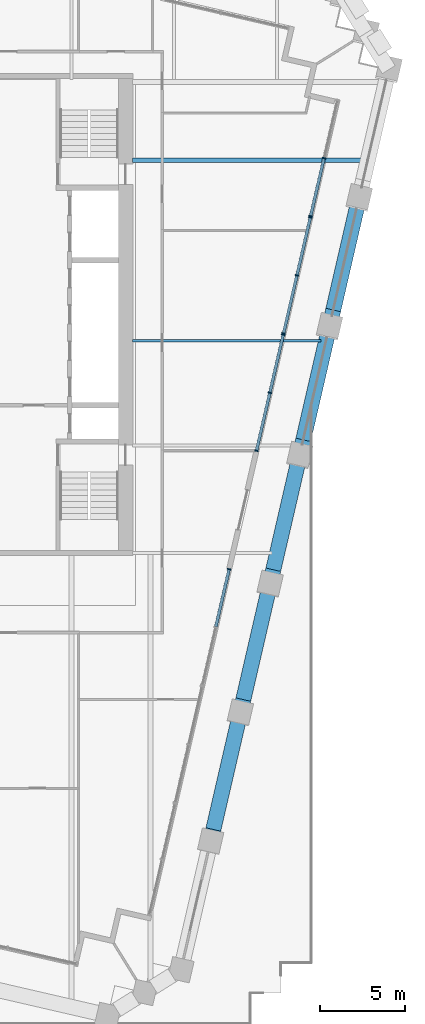
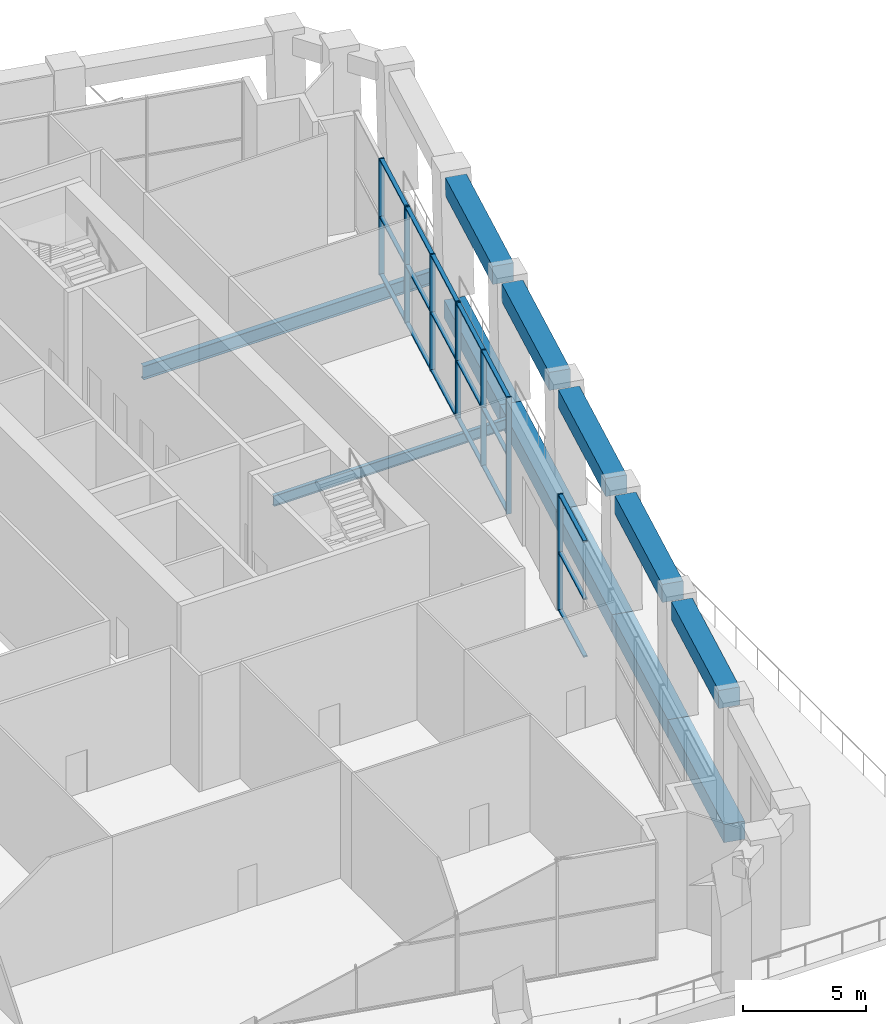
# One storey, part 9 of 23: 27 members, 12 beams, 4 elements without a shape of their own.
"""IFC4 building model written with IfcOpenShell, lengths in metres."""

import ifcopenshell
import ifcopenshell.guid

model = None  # the IFC model being written
_history = None  # IfcOwnerHistory: only IFC2X3 demands one
_inside = {}  # id of a spatial element -> (the spatial element, [elements in it])
_under = {}  # id of a project, library or spatial element -> (it, [spatial elements below it])
_declared = {}  # id of a project -> (the project, [libraries it declares])
_typed = {}  # id of a type object -> (the type object, [elements of that type])
_made_of = {}  # id of a material, layer set ... -> (it, [elements and type objects made of it])


def new_model(schema):
    """Start an empty IFC model of exactly this schema.

    Asked for "IFC4X3", IfcOpenShell would pick the latest addendum, in which some entities
    have other attributes; the version numbers below select the first issue.
    IFC2X3 requires an IfcOwnerHistory on every rooted entity: one is made here for all.
    """
    global model, _history
    if schema == "IFC4X3":
        model = ifcopenshell.file(schema_version=(4, 3, 0, 0))
    else:
        model = ifcopenshell.file(schema=schema)
    _inside.clear()
    _under.clear()
    _declared.clear()
    _typed.clear()
    _made_of.clear()
    _history = None
    if model.schema == "IFC2X3":
        org = make("IfcOrganization", Name="unknown")
        user = make(
            "IfcPersonAndOrganization",
            ThePerson=make("IfcPerson", FamilyName="unknown"),
            TheOrganization=org,
        )
        app = make(
            "IfcApplication",
            ApplicationDeveloper=org,
            Version="unknown",
            ApplicationFullName="unknown",
            ApplicationIdentifier="unknown",
        )
        _history = make(
            "IfcOwnerHistory",
            OwningUser=user,
            OwningApplication=app,
            ChangeAction="ADDED",
            CreationDate=0,
        )
    return model


def make(cls, **values):
    """One entity of the class cls with the attributes given. An attribute that is None is left unset."""
    return model.create_entity(
        cls, **{name: value for name, value in values.items() if value is not None}
    )


def rooted(cls, **values):
    """An entity with a GlobalId (a new one), such as an element, a storey or a relation."""
    return make(cls, GlobalId=ifcopenshell.guid.new(), OwnerHistory=_history, **values)


def si_unit(unit_type, name, prefix=None):
    """IfcSIUnit, for example si_unit("LENGTHUNIT", "METRE", prefix="MILLI")."""
    return make("IfcSIUnit", UnitType=unit_type, Prefix=prefix, Name=name)


def assignment(units):
    """IfcUnitAssignment: the units of a project."""
    return None if units is None else make("IfcUnitAssignment", Units=units)


def point(xyz):
    """IfcCartesianPoint."""
    return None if xyz is None else make("IfcCartesianPoint", Coordinates=xyz)


def direction(xyz):
    """IfcDirection."""
    return None if xyz is None else make("IfcDirection", DirectionRatios=xyz)


def frame(location, z_axis=None, x_axis=None):
    """IfcAxis2Placement3D, a coordinate frame: its origin and axes. An axis left out is left unset."""
    return make(
        "IfcAxis2Placement3D",
        Location=point(location),
        Axis=direction(z_axis),
        RefDirection=direction(x_axis),
    )


def frame_2d(location, x_axis=None):
    """IfcAxis2Placement2D, a coordinate frame in the plane: its origin and x axis."""
    return make(
        "IfcAxis2Placement2D", Location=point(location), RefDirection=direction(x_axis)
    )


def origin():
    """The frame at (0, 0, 0) with its axes left unset."""
    return frame((0.0, 0.0, 0.0))


def origin_2d():
    """The frame at (0, 0) in the plane with its x axis left unset."""
    return frame_2d((0.0, 0.0))


def place(relative_to, where):
    """IfcLocalPlacement: puts the frame where relative to a parent placement (None: the world)."""
    return make(
        "IfcLocalPlacement", PlacementRelTo=relative_to, RelativePlacement=where
    )


def context(
    kind, dimensions, precision=None, world=None, true_north=None, identifier=None
):
    """IfcGeometricRepresentationContext, for example the 3D "Model" context."""
    return make(
        "IfcGeometricRepresentationContext",
        ContextIdentifier=identifier,
        ContextType=kind,
        CoordinateSpaceDimension=dimensions,
        Precision=precision,
        WorldCoordinateSystem=world,
        TrueNorth=true_north,
    )


def subcontext(parent, identifier, kind, view, scale=None):
    """IfcGeometricRepresentationSubContext, for example "Body" below "Model"."""
    return make(
        "IfcGeometricRepresentationSubContext",
        ContextIdentifier=identifier,
        ContextType=kind,
        ParentContext=parent,
        TargetScale=scale,
        TargetView=view,
    )


def project(units=None, contexts=None):
    """IfcProject with its units and contexts."""
    return rooted(
        "IfcProject",
        Name="project",
        RepresentationContexts=contexts,
        UnitsInContext=assignment(units),
    )


def spatial(cls, under=None, at=None, **own):
    """A site, building, storey or space (cls), placed at a placement, below another one or the project."""
    s = rooted(cls, ObjectPlacement=at, **own)
    if under is not None:
        _under.setdefault(under.id(), (under, []))[1].append(s)
    return s


def profile(cls, at=None, kind="AREA", **sizes):
    """A parametric profile (cls). Its sizes go by their IFC names, for example OverallWidth=200.0."""
    return make(cls, ProfileType=kind, Position=at, **sizes)


def rectangle(**sizes):
    """IfcRectangleProfileDef."""
    return profile("IfcRectangleProfileDef", **sizes)


def i_section(**sizes):
    """IfcIShapeProfileDef."""
    return profile("IfcIShapeProfileDef", **sizes)


def extrude(swept, where, along, depth):
    """IfcExtrudedAreaSolid: the profile swept, set in the frame where, extruded along a direction by depth."""
    return make(
        "IfcExtrudedAreaSolid",
        SweptArea=swept,
        Position=where,
        ExtrudedDirection=direction(along),
        Depth=depth,
    )


def shape(context_of_items, identifier, shape_type, items):
    """IfcShapeRepresentation: the items that make up one representation, for example the "Body"."""
    return make(
        "IfcShapeRepresentation",
        ContextOfItems=context_of_items,
        RepresentationIdentifier=identifier,
        RepresentationType=shape_type,
        Items=items,
    )


def material(Name=None, Category=None):
    """IfcMaterial."""
    return make("IfcMaterial", Name=Name, Category=Category)


def material_profile(
    of_material, cross_section, Name=None, Category=None, Priority=None
):
    """IfcMaterialProfile: a cross section and its material."""
    return make(
        "IfcMaterialProfile",
        Name=Name,
        Material=of_material,
        Profile=cross_section,
        Priority=Priority,
        Category=Category,
    )


def profile_set(profiles, Name=None, composite=None):
    """IfcMaterialProfileSet."""
    return make(
        "IfcMaterialProfileSet",
        Name=Name,
        MaterialProfiles=profiles,
        CompositeProfile=composite,
    )


def made_of(thing, what):
    """Note that an element or type object is made of a material, layer set ...; save() writes the relation."""
    if what is not None:
        _made_of.setdefault(what.id(), (what, []))[1].append(thing)
    return thing


def type_object(cls, material=None, **own):
    """A type object (cls), such as IfcWallType, which elements share."""
    return made_of(rooted(cls, **own), material)


def element(
    cls,
    number,
    at=None,
    inside=None,
    cuts=None,
    type_object=None,
    material=None,
    context=None,
    identifier="Body",
    shape_type=None,
    held_by="IfcProductDefinitionShape",
    body=None,
    shapes=None,
    **own,
):
    """One element of the class cls, such as IfcWall. Its Tag is "e" and its number.

    at: its placement. inside: the storey or other place that contains it. cuts: it is an
    opening in that element (IfcRelVoidsElement). A single representation is given by context,
    identifier, shape_type and body (its items); several are given by shapes. held_by: the class
    of the entity that holds the representations. save() writes the other relations.
    """
    e = rooted(cls, Tag="e%d" % number, ObjectPlacement=at, **own)
    if body is not None:
        shapes = [shape(context, identifier, shape_type, body)]
    if shapes is not None:
        e.Representation = make(held_by, Representations=shapes)
    if inside is not None:
        _inside.setdefault(inside.id(), (inside, []))[1].append(e)
    if cuts is not None:
        rooted(
            "IfcRelVoidsElement", RelatingBuildingElement=cuts, RelatedOpeningElement=e
        )
    if type_object is not None:
        _typed.setdefault(type_object.id(), (type_object, []))[1].append(e)
    return made_of(e, material)


def aggregate(whole, parts):
    """IfcRelAggregates: a whole, such as a stair, and the parts it consists of."""
    return rooted("IfcRelAggregates", RelatingObject=whole, RelatedObjects=parts)


def save(model, path):
    """Write the relations noted so far, then the file.

    IfcRelAggregates (storeys below a building ...), IfcRelContainedInSpatialStructure (elements
    in a storey), IfcRelDefinesByType, IfcRelAssociatesMaterial and IfcRelDeclares: one each for
    every whole, place, type object, material and project.
    """
    for whole, parts in _under.values():
        aggregate(whole, parts)
    for where, things in _inside.values():
        rooted(
            "IfcRelContainedInSpatialStructure",
            RelatedElements=things,
            RelatingStructure=where,
        )
    for kind, things in _typed.values():
        rooted("IfcRelDefinesByType", RelatedObjects=things, RelatingType=kind)
    for what, things in _made_of.values():
        rooted("IfcRelAssociatesMaterial", RelatedObjects=things, RelatingMaterial=what)
    for by, libraries in _declared.values():
        rooted("IfcRelDeclares", RelatingContext=by, RelatedDefinitions=libraries)
    model.write(path)


model = new_model("IFC4")

# Units and contexts
model_context = context("Model", 3, precision=1e-05, world=origin(), true_north=direction((0.0, 1.0)))
body_context = subcontext(model_context, "Body", "Model", "MODEL_VIEW")
ifc_project = project(units=[si_unit("LENGTHUNIT", "METRE"), si_unit("AREAUNIT", "SQUARE_METRE"), si_unit("VOLUMEUNIT", "CUBIC_METRE"), si_unit("PLANEANGLEUNIT", "RADIAN"), si_unit("MASSUNIT", "GRAM", prefix="KILO")], contexts=[model_context])

# Site, building, storey
site_placement = place(None, origin())
site = spatial("IfcSite", under=ifc_project, at=site_placement, CompositionType="ELEMENT")
building_placement = place(site_placement, origin())
building = spatial("IfcBuilding", under=site, at=building_placement, Name="Ogive Exchange Tower", CompositionType="ELEMENT")
storey_placement = place(building_placement, frame((0.0, 0.0, 99.60009765625)))
storey = spatial("IfcBuildingStorey", under=building, at=storey_placement, Name="L21", CompositionType="ELEMENT", Elevation=99.60009765625)

# Beams
ifc_material_1 = material(Name="Steel ASTM A992 Gr50", Category="steel")
ifc_material_profile_1 = material_profile(ifc_material_1, i_section(OverallWidth=0.1669921875, OverallDepth=0.535888671875, WebThickness=0.01025390625, FlangeThickness=0.0166015625, at=origin_2d()), Name="W530x85")
ifc_profile_set_1 = profile_set([ifc_material_profile_1], Name="Steel ASTM A992 Gr50")
beam_type_1 = type_object("IfcBeamType", Name="Floor beam W530x85", PredefinedType="JOIST", material=ifc_profile_set_1)
beam_1_placement = place(storey_placement, frame((21.830078125, 9.956787109375, -0.718017578125), z_axis=(1.0, 0.0, 0.0), x_axis=(0.0, 1.0, 0.0)))
element("IfcBeam", 1, at=beam_1_placement, inside=storey, type_object=beam_type_1, Name="Floor beam", PredefinedType="JOIST", context=body_context, shape_type="SweptSolid", body=[
    extrude(i_section(OverallWidth=0.1669921875, OverallDepth=0.535888671875, WebThickness=0.01025390625, FlangeThickness=0.0166015625, at=origin_2d()), origin(), (0.0, 0.0, 1.0), 11.138671875),
])
ifc_material_profile_2 = material_profile(ifc_material_1, i_section(OverallWidth=0.25390625, OverallDepth=0.677978515625, WebThickness=0.01171875, FlangeThickness=0.016357421875, at=origin_2d()), Name="W690x125")
ifc_profile_set_2 = profile_set([ifc_material_profile_2], Name="Steel ASTM A992 Gr50")
beam_type_2 = type_object("IfcBeamType", Name="Floor beam W690x125", PredefinedType="JOIST", material=ifc_profile_set_2)
beam_2_placement = place(storey_placement, frame((21.830078125, 20.62255859375, -0.7890625), z_axis=(1.0, 0.0, 0.0), x_axis=(0.0, 1.0, 0.0)))
element("IfcBeam", 2, at=beam_2_placement, inside=storey, type_object=beam_type_2, Name="Floor beam", PredefinedType="JOIST", context=body_context, shape_type="SweptSolid", body=[
    extrude(i_section(OverallWidth=0.25390625, OverallDepth=0.677978515625, WebThickness=0.01171875, FlangeThickness=0.016357421875, at=origin_2d()), origin(), (0.0, 0.0, 1.0), 13.60107421875),
])
ifc_material_2 = material(Name="Precast concrete C70/85 (limestone faced)", Category="masonry")
ifc_material_profile_3 = material_profile(ifc_material_2, rectangle(XDim=0.89990234375, YDim=0.89990234375, at=origin_2d()), Name="900 x 900")
ifc_profile_set_3 = profile_set([ifc_material_profile_3], Name="Precast concrete C70/85 (limestone faced)")
beam_type_3 = type_object("IfcBeamType", Name="Precast spandrel 900 x 900 C70/85", PredefinedType="SPANDREL", material=ifc_profile_set_3)
beam_3_placement = place(storey_placement, frame((26.611572265625, -18.93017578125, 5.2998046875), z_axis=(0.224918779098, 0.97437751555, 0.0), x_axis=(-0.97437751555, 0.224918779098, 0.0)))
element("IfcBeam", 3, at=beam_3_placement, inside=storey, type_object=beam_type_3, Name="Spandrel 10", PredefinedType="SPANDREL", context=body_context, shape_type="SweptSolid", body=[
    extrude(rectangle(XDim=0.89990234375, YDim=0.89990234375, at=origin_2d()), origin(), (0.0, 0.0, 1.0), 6.6181640625),
])
for number, where, z_axis, x_axis, name in (
    (4, (28.3837890625, -11.254150390625, 5.2998046875), (0.224926864054, 0.974375649237, 0.0), (-0.974375649237, 0.224926864054, 0.0), "Spandrel 11"),
    (5, (30.15576171875, -3.578125, 5.2998046875), (0.224961888605, 0.974367563436, 0.0), (-0.974367563436, 0.224961888605, 0.0), "Spandrel 12"),
    (6, (31.927978515625, 4.097900390625, 5.2998046875), (0.224961888605, 0.974367563436, 0.0), (-0.974367563436, 0.224961888605, 0.0), "Spandrel 13"),
    (7, (33.7001953125, 11.77392578125, 5.2998046875), (0.224926864054, 0.974375649237, 0.0), (-0.974375649237, 0.224926864054, 0.0), "Spandrel 14"),
):
    element("IfcBeam", number, at=place(storey_placement, frame(where, z_axis=z_axis, x_axis=x_axis)), inside=storey, type_object=beam_type_3, Name=name, PredefinedType="SPANDREL", context=body_context, shape_type="SweptSolid", body=[
        extrude(rectangle(XDim=0.89990234375, YDim=0.89990234375, at=origin_2d()), origin(), (0.0, 0.0, 1.0), 6.617919921875),
    ])
ifc_material_profile_4 = material_profile(ifc_material_2, rectangle(XDim=0.89990234375, YDim=0.89990234375, at=origin_2d()), Name="900 x 900")
ifc_profile_set_4 = profile_set([ifc_material_profile_4], Name="Precast concrete C70/85 (limestone faced)")
beam_type_4 = type_object("IfcBeamType", Name="Precast transfer girder 900 x 900 C70/85", PredefinedType="BEAM", material=ifc_profile_set_4)
for number, where, z_axis, x_axis, name in (
    (8, (26.452392578125, -19.619873046875, -0.900146484375), (0.224923513443, 0.974376422693, 0.0), (-0.974376422693, 0.224923513443, 0.0), "Transfer girder 10"),
    (9, (28.206787109375, -12.019775390625, -0.900146484375), (0.22495322987, 0.974369562523, 0.0), (-0.974369562523, 0.22495322987, 0.0), "Transfer girder 11"),
    (10, (29.96142578125, -4.419677734375, -0.900146484375), (0.22495322987, 0.974369562523, 0.0), (-0.974369562523, 0.22495322987, 0.0), "Transfer girder 12"),
    (11, (31.716064453125, 3.180419921875, -0.900146484375), (0.22495322987, 0.974369562523, 0.0), (-0.974369562523, 0.22495322987, 0.0), "Transfer girder 13"),
    (12, (33.470703125, 10.780517578125, -0.900146484375), (0.22495322987, 0.974369562523, 0.0), (-0.974369562523, 0.22495322987, 0.0), "Transfer girder 14"),
):
    element("IfcBeam", number, at=place(storey_placement, frame(where, z_axis=z_axis, x_axis=x_axis)), inside=storey, type_object=beam_type_4, Name=name, PredefinedType="BEAM", context=body_context, shape_type="SweptSolid", body=[
        extrude(rectangle(XDim=0.89990234375, YDim=0.89990234375, at=origin_2d()), origin(), (0.0, 0.0, 1.0), 7.800048828125),
    ])

# Curtain wall, member
ifc_material_3 = material(Name="Anodised aluminium and clear glass", Category="aluminium")
curtain_wall_type = type_object("IfcCurtainWallType", Name="Sky lobby glazing", PredefinedType="NOTDEFINED", material=ifc_material_3)
curtain_wall_1_placement = place(storey_placement, origin())
curtain_wall_1 = element("IfcCurtainWall", 13, at=curtain_wall_1_placement, inside=storey, type_object=curtain_wall_type, Name="Sky lobby glazing run G9", PredefinedType="NOTDEFINED")
ifc_material_4 = material(Name="Anodised aluminium", Category="aluminium")
ifc_material_profile_5 = material_profile(ifc_material_4, rectangle(XDim=0.219970703125, YDim=0.070068359375, at=origin_2d()), Name="AL 70x220")
ifc_profile_set_5 = profile_set([ifc_material_profile_5], Name="Anodised aluminium")
member_type_1 = type_object("IfcMemberType", Name="Sky lobby glazing mullion 70 x 220", PredefinedType="MULLION", material=ifc_profile_set_5)
member_1_placement = place(storey_placement, frame((27.546142578125, -3.546142578125, 0.0), z_axis=(0.0, 0.0, 1.0), x_axis=(-0.974369396254, 0.224953950051, 0.0)))
member_1 = element("IfcMember", 14, at=member_1_placement, type_object=member_type_1, Name="G9 mullion 3", PredefinedType="MULLION", context=body_context, shape_type="SweptSolid", body=[
    extrude(rectangle(XDim=0.219970703125, YDim=0.070068359375, at=origin_2d()), origin(), (0.0, 0.0, 1.0), 5.7998046875),
])

# Curtain wall, members
curtain_wall_2_placement = place(storey_placement, origin())
curtain_wall_2 = element("IfcCurtainWall", 15, at=curtain_wall_2_placement, inside=storey, type_object=curtain_wall_type, Name="Sky lobby glazing run G11", PredefinedType="NOTDEFINED")
member_2_placement = place(storey_placement, frame((29.162353515625, 3.4541015625, 0.0), z_axis=(0.0, 0.0, 1.0), x_axis=(-0.974371765874, 0.224943685993, 0.0)))
member_2 = element("IfcMember", 16, at=member_2_placement, type_object=member_type_1, Name="G11 mullion 1", PredefinedType="MULLION", context=body_context, shape_type="SweptSolid", body=[
    extrude(rectangle(XDim=0.219970703125, YDim=0.070068359375, at=origin_2d()), origin(), (0.0, 0.0, 1.0), 5.7998046875),
])
member_3_placement = place(storey_placement, frame((29.95458984375, 6.8857421875, 0.0), z_axis=(0.0, 0.0, 1.0), x_axis=(-0.974371765874, 0.224943685993, 0.0)))
member_3 = element("IfcMember", 17, at=member_3_placement, type_object=member_type_1, Name="G11 mullion 2", PredefinedType="MULLION", context=body_context, shape_type="SweptSolid", body=[
    extrude(rectangle(XDim=0.219970703125, YDim=0.070068359375, at=origin_2d()), origin(), (0.0, 0.0, 1.0), 5.7998046875),
])
member_4_placement = place(storey_placement, frame((30.746826171875, 10.317626953125, 0.0), z_axis=(0.0, 0.0, 1.0), x_axis=(-0.974371765874, 0.224943685993, 0.0)))
member_4 = element("IfcMember", 18, at=member_4_placement, type_object=member_type_1, Name="G11 mullion 3", PredefinedType="MULLION", context=body_context, shape_type="SweptSolid", body=[
    extrude(rectangle(XDim=0.219970703125, YDim=0.070068359375, at=origin_2d()), origin(), (0.0, 0.0, 1.0), 5.7998046875),
])

curtain_wall_3_placement = place(storey_placement, origin())
curtain_wall_3 = element("IfcCurtainWall", 19, at=curtain_wall_3_placement, inside=storey, type_object=curtain_wall_type, Name="Sky lobby glazing run G12", PredefinedType="NOTDEFINED")
member_5_placement = place(storey_placement, frame((30.7626953125, 10.385986328125, 0.0), z_axis=(0.0, 0.0, 1.0), x_axis=(-0.974369396254, 0.224953950051, 0.0)))
member_5 = element("IfcMember", 20, at=member_5_placement, type_object=member_type_1, Name="G12 mullion 1", PredefinedType="MULLION", context=body_context, shape_type="SweptSolid", body=[
    extrude(rectangle(XDim=0.219970703125, YDim=0.070068359375, at=origin_2d()), origin(), (0.0, 0.0, 1.0), 5.7998046875),
])
member_6_placement = place(storey_placement, frame((31.554931640625, 13.81787109375, 0.0), z_axis=(0.0, 0.0, 1.0), x_axis=(-0.974369396254, 0.224953950051, 0.0)))
member_6 = element("IfcMember", 21, at=member_6_placement, type_object=member_type_1, Name="G12 mullion 2", PredefinedType="MULLION", context=body_context, shape_type="SweptSolid", body=[
    extrude(rectangle(XDim=0.219970703125, YDim=0.070068359375, at=origin_2d()), origin(), (0.0, 0.0, 1.0), 5.7998046875),
])
member_7_placement = place(storey_placement, frame((32.34716796875, 17.249755859375, 0.0), z_axis=(0.0, 0.0, 1.0), x_axis=(-0.974369396254, 0.224953950051, 0.0)))
member_7 = element("IfcMember", 22, at=member_7_placement, type_object=member_type_1, Name="G12 mullion 3", PredefinedType="MULLION", context=body_context, shape_type="SweptSolid", body=[
    extrude(rectangle(XDim=0.219970703125, YDim=0.070068359375, at=origin_2d()), origin(), (0.0, 0.0, 1.0), 5.7998046875),
])

curtain_wall_4_placement = place(storey_placement, origin())
curtain_wall_4 = element("IfcCurtainWall", 23, at=curtain_wall_4_placement, inside=storey, type_object=curtain_wall_type, Name="Sky lobby glazing run G13", PredefinedType="NOTDEFINED")
member_8_placement = place(storey_placement, frame((32.363037109375, 17.31787109375, 0.0), z_axis=(0.0, 0.0, 1.0), x_axis=(-0.974368684938, 0.224957031035, 0.0)))
member_8 = element("IfcMember", 24, at=member_8_placement, type_object=member_type_1, Name="G13 mullion 1", PredefinedType="MULLION", context=body_context, shape_type="SweptSolid", body=[
    extrude(rectangle(XDim=0.219970703125, YDim=0.070068359375, at=origin_2d()), origin(), (0.0, 0.0, 1.0), 5.7998046875),
])
member_9_placement = place(storey_placement, frame((33.1552734375, 20.749755859375, 0.0), z_axis=(0.0, 0.0, 1.0), x_axis=(-0.974368684938, 0.224957031035, 0.0)))
member_9 = element("IfcMember", 25, at=member_9_placement, type_object=member_type_1, Name="G13 mullion 2", PredefinedType="MULLION", context=body_context, shape_type="SweptSolid", body=[
    extrude(rectangle(XDim=0.219970703125, YDim=0.070068359375, at=origin_2d()), origin(), (0.0, 0.0, 1.0), 5.7998046875),
])

# Member
ifc_material_profile_6 = material_profile(ifc_material_4, rectangle(XDim=0.179931640625, YDim=0.070068359375, at=origin_2d()), Name="AL 70x180")
ifc_profile_set_6 = profile_set([ifc_material_profile_6], Name="Anodised aluminium")
member_type_2 = type_object("IfcMemberType", Name="Sky lobby glazing transom 70 x 180", PredefinedType="USERDEFINED", material=ifc_profile_set_6)
member_10_placement = place(storey_placement, frame((26.76171875, -6.94384765625, 0.034912109375), z_axis=(0.224973140409, 0.974364965552, 0.0), x_axis=(-0.974364965552, 0.224973140409, 0.0)))
member_10 = element("IfcMember", 26, at=member_10_placement, type_object=member_type_2, Name="G9 transom 2.1", ObjectType="TRANSOM", PredefinedType="USERDEFINED", context=body_context, shape_type="SweptSolid", body=[
    extrude(rectangle(XDim=0.179931640625, YDim=0.070068359375, at=origin_2d()), origin(), (0.0, 0.0, 1.0), 3.451904296875),
])

member_11_placement = place(storey_placement, frame((26.76171875, -6.94384765625, 2.89990234375), z_axis=(0.224973140409, 0.974364965552, 0.0), x_axis=(-0.974364965552, 0.224973140409, 0.0)))
member_11 = element("IfcMember", 27, at=member_11_placement, type_object=member_type_2, Name="G9 transom 2.2", ObjectType="TRANSOM", PredefinedType="USERDEFINED", context=body_context, shape_type="SweptSolid", body=[
    extrude(rectangle(XDim=0.179931640625, YDim=0.070068359375, at=origin_2d()), origin(), (0.0, 0.0, 1.0), 3.451904296875),
])

member_12_placement = place(storey_placement, frame((26.76171875, -6.94384765625, 5.764892578125), z_axis=(0.224973140409, 0.974364965552, 0.0), x_axis=(-0.974364965552, 0.224973140409, 0.0)))
member_12 = element("IfcMember", 28, at=member_12_placement, type_object=member_type_2, Name="G9 transom 2.3", ObjectType="TRANSOM", PredefinedType="USERDEFINED", context=body_context, shape_type="SweptSolid", body=[
    extrude(rectangle(XDim=0.179931640625, YDim=0.070068359375, at=origin_2d()), origin(), (0.0, 0.0, 1.0), 3.451904296875),
])

aggregate(curtain_wall_1, [member_1, member_10, member_11, member_12])

member_13_placement = place(storey_placement, frame((29.170166015625, 3.488037109375, 0.034912109375), z_axis=(0.224957638321, 0.974368544731, 0.0), x_axis=(-0.974368544731, 0.224957638321, 0.0)))
member_13 = element("IfcMember", 29, at=member_13_placement, type_object=member_type_2, Name="G11 transom 1.1", ObjectType="TRANSOM", PredefinedType="USERDEFINED", context=body_context, shape_type="SweptSolid", body=[
    extrude(rectangle(XDim=0.179931640625, YDim=0.070068359375, at=origin_2d()), origin(), (0.0, 0.0, 1.0), 3.4521484375),
])

member_14_placement = place(storey_placement, frame((29.170166015625, 3.488037109375, 2.89990234375), z_axis=(0.224957638321, 0.974368544731, 0.0), x_axis=(-0.974368544731, 0.224957638321, 0.0)))
member_14 = element("IfcMember", 30, at=member_14_placement, type_object=member_type_2, Name="G11 transom 1.2", ObjectType="TRANSOM", PredefinedType="USERDEFINED", context=body_context, shape_type="SweptSolid", body=[
    extrude(rectangle(XDim=0.179931640625, YDim=0.070068359375, at=origin_2d()), origin(), (0.0, 0.0, 1.0), 3.4521484375),
])

member_15_placement = place(storey_placement, frame((29.170166015625, 3.488037109375, 5.764892578125), z_axis=(0.224957638321, 0.974368544731, 0.0), x_axis=(-0.974368544731, 0.224957638321, 0.0)))
member_15 = element("IfcMember", 31, at=member_15_placement, type_object=member_type_2, Name="G11 transom 1.3", ObjectType="TRANSOM", PredefinedType="USERDEFINED", context=body_context, shape_type="SweptSolid", body=[
    extrude(rectangle(XDim=0.179931640625, YDim=0.070068359375, at=origin_2d()), origin(), (0.0, 0.0, 1.0), 3.4521484375),
])

member_16_placement = place(storey_placement, frame((29.96240234375, 6.919921875, 0.034912109375), z_axis=(0.224957638321, 0.974368544731, 0.0), x_axis=(-0.974368544731, 0.224957638321, 0.0)))
member_16 = element("IfcMember", 32, at=member_16_placement, type_object=member_type_2, Name="G11 transom 2.1", ObjectType="TRANSOM", PredefinedType="USERDEFINED", context=body_context, shape_type="SweptSolid", body=[
    extrude(rectangle(XDim=0.179931640625, YDim=0.070068359375, at=origin_2d()), origin(), (0.0, 0.0, 1.0), 3.4521484375),
])

member_17_placement = place(storey_placement, frame((29.96240234375, 6.919921875, 2.89990234375), z_axis=(0.224957638321, 0.974368544731, 0.0), x_axis=(-0.974368544731, 0.224957638321, 0.0)))
member_17 = element("IfcMember", 33, at=member_17_placement, type_object=member_type_2, Name="G11 transom 2.2", ObjectType="TRANSOM", PredefinedType="USERDEFINED", context=body_context, shape_type="SweptSolid", body=[
    extrude(rectangle(XDim=0.179931640625, YDim=0.070068359375, at=origin_2d()), origin(), (0.0, 0.0, 1.0), 3.4521484375),
])

member_18_placement = place(storey_placement, frame((29.96240234375, 6.919921875, 5.764892578125), z_axis=(0.224957638321, 0.974368544731, 0.0), x_axis=(-0.974368544731, 0.224957638321, 0.0)))
member_18 = element("IfcMember", 34, at=member_18_placement, type_object=member_type_2, Name="G11 transom 2.3", ObjectType="TRANSOM", PredefinedType="USERDEFINED", context=body_context, shape_type="SweptSolid", body=[
    extrude(rectangle(XDim=0.179931640625, YDim=0.070068359375, at=origin_2d()), origin(), (0.0, 0.0, 1.0), 3.4521484375),
])

aggregate(curtain_wall_2, [member_2, member_3, member_4, member_13, member_14, member_15, member_16, member_17, member_18])

member_19_placement = place(storey_placement, frame((30.7705078125, 10.419921875, 0.034912109375), z_axis=(0.224957638321, 0.974368544731, 0.0), x_axis=(-0.974368544731, 0.224957638321, 0.0)))
member_19 = element("IfcMember", 35, at=member_19_placement, type_object=member_type_2, Name="G12 transom 1.1", ObjectType="TRANSOM", PredefinedType="USERDEFINED", context=body_context, shape_type="SweptSolid", body=[
    extrude(rectangle(XDim=0.179931640625, YDim=0.070068359375, at=origin_2d()), origin(), (0.0, 0.0, 1.0), 3.4521484375),
])

member_20_placement = place(storey_placement, frame((30.7705078125, 10.419921875, 2.89990234375), z_axis=(0.224957638321, 0.974368544731, 0.0), x_axis=(-0.974368544731, 0.224957638321, 0.0)))
member_20 = element("IfcMember", 36, at=member_20_placement, type_object=member_type_2, Name="G12 transom 1.2", ObjectType="TRANSOM", PredefinedType="USERDEFINED", context=body_context, shape_type="SweptSolid", body=[
    extrude(rectangle(XDim=0.179931640625, YDim=0.070068359375, at=origin_2d()), origin(), (0.0, 0.0, 1.0), 3.4521484375),
])

member_21_placement = place(storey_placement, frame((30.7705078125, 10.419921875, 5.764892578125), z_axis=(0.224957638321, 0.974368544731, 0.0), x_axis=(-0.974368544731, 0.224957638321, 0.0)))
member_21 = element("IfcMember", 37, at=member_21_placement, type_object=member_type_2, Name="G12 transom 1.3", ObjectType="TRANSOM", PredefinedType="USERDEFINED", context=body_context, shape_type="SweptSolid", body=[
    extrude(rectangle(XDim=0.179931640625, YDim=0.070068359375, at=origin_2d()), origin(), (0.0, 0.0, 1.0), 3.4521484375),
])

member_22_placement = place(storey_placement, frame((31.562744140625, 13.851806640625, 0.034912109375), z_axis=(0.224957638321, 0.974368544731, 0.0), x_axis=(-0.974368544731, 0.224957638321, 0.0)))
member_22 = element("IfcMember", 38, at=member_22_placement, type_object=member_type_2, Name="G12 transom 2.1", ObjectType="TRANSOM", PredefinedType="USERDEFINED", context=body_context, shape_type="SweptSolid", body=[
    extrude(rectangle(XDim=0.179931640625, YDim=0.070068359375, at=origin_2d()), origin(), (0.0, 0.0, 1.0), 3.4521484375),
])

member_23_placement = place(storey_placement, frame((31.562744140625, 13.851806640625, 2.89990234375), z_axis=(0.224957638321, 0.974368544731, 0.0), x_axis=(-0.974368544731, 0.224957638321, 0.0)))
member_23 = element("IfcMember", 39, at=member_23_placement, type_object=member_type_2, Name="G12 transom 2.2", ObjectType="TRANSOM", PredefinedType="USERDEFINED", context=body_context, shape_type="SweptSolid", body=[
    extrude(rectangle(XDim=0.179931640625, YDim=0.070068359375, at=origin_2d()), origin(), (0.0, 0.0, 1.0), 3.4521484375),
])

member_24_placement = place(storey_placement, frame((31.562744140625, 13.851806640625, 5.764892578125), z_axis=(0.224957638321, 0.974368544731, 0.0), x_axis=(-0.974368544731, 0.224957638321, 0.0)))
member_24 = element("IfcMember", 40, at=member_24_placement, type_object=member_type_2, Name="G12 transom 2.3", ObjectType="TRANSOM", PredefinedType="USERDEFINED", context=body_context, shape_type="SweptSolid", body=[
    extrude(rectangle(XDim=0.179931640625, YDim=0.070068359375, at=origin_2d()), origin(), (0.0, 0.0, 1.0), 3.4521484375),
])

aggregate(curtain_wall_3, [member_5, member_6, member_7, member_19, member_20, member_21, member_22, member_23, member_24])

member_25_placement = place(storey_placement, frame((32.370849609375, 17.35205078125, 0.034912109375), z_axis=(0.224973140409, 0.974364965552, 0.0), x_axis=(-0.974364965552, 0.224973140409, 0.0)))
member_25 = element("IfcMember", 41, at=member_25_placement, type_object=member_type_2, Name="G13 transom 1.1", ObjectType="TRANSOM", PredefinedType="USERDEFINED", context=body_context, shape_type="SweptSolid", body=[
    extrude(rectangle(XDim=0.179931640625, YDim=0.070068359375, at=origin_2d()), origin(), (0.0, 0.0, 1.0), 3.451904296875),
])

member_26_placement = place(storey_placement, frame((32.370849609375, 17.35205078125, 2.89990234375), z_axis=(0.224973140409, 0.974364965552, 0.0), x_axis=(-0.974364965552, 0.224973140409, 0.0)))
member_26 = element("IfcMember", 42, at=member_26_placement, type_object=member_type_2, Name="G13 transom 1.2", ObjectType="TRANSOM", PredefinedType="USERDEFINED", context=body_context, shape_type="SweptSolid", body=[
    extrude(rectangle(XDim=0.179931640625, YDim=0.070068359375, at=origin_2d()), origin(), (0.0, 0.0, 1.0), 3.451904296875),
])

member_27_placement = place(storey_placement, frame((32.370849609375, 17.35205078125, 5.764892578125), z_axis=(0.224973140409, 0.974364965552, 0.0), x_axis=(-0.974364965552, 0.224973140409, 0.0)))
member_27 = element("IfcMember", 43, at=member_27_placement, type_object=member_type_2, Name="G13 transom 1.3", ObjectType="TRANSOM", PredefinedType="USERDEFINED", context=body_context, shape_type="SweptSolid", body=[
    extrude(rectangle(XDim=0.179931640625, YDim=0.070068359375, at=origin_2d()), origin(), (0.0, 0.0, 1.0), 3.451904296875),
])

aggregate(curtain_wall_4, [member_8, member_9, member_25, member_26, member_27])

save(model, "model.ifc")
